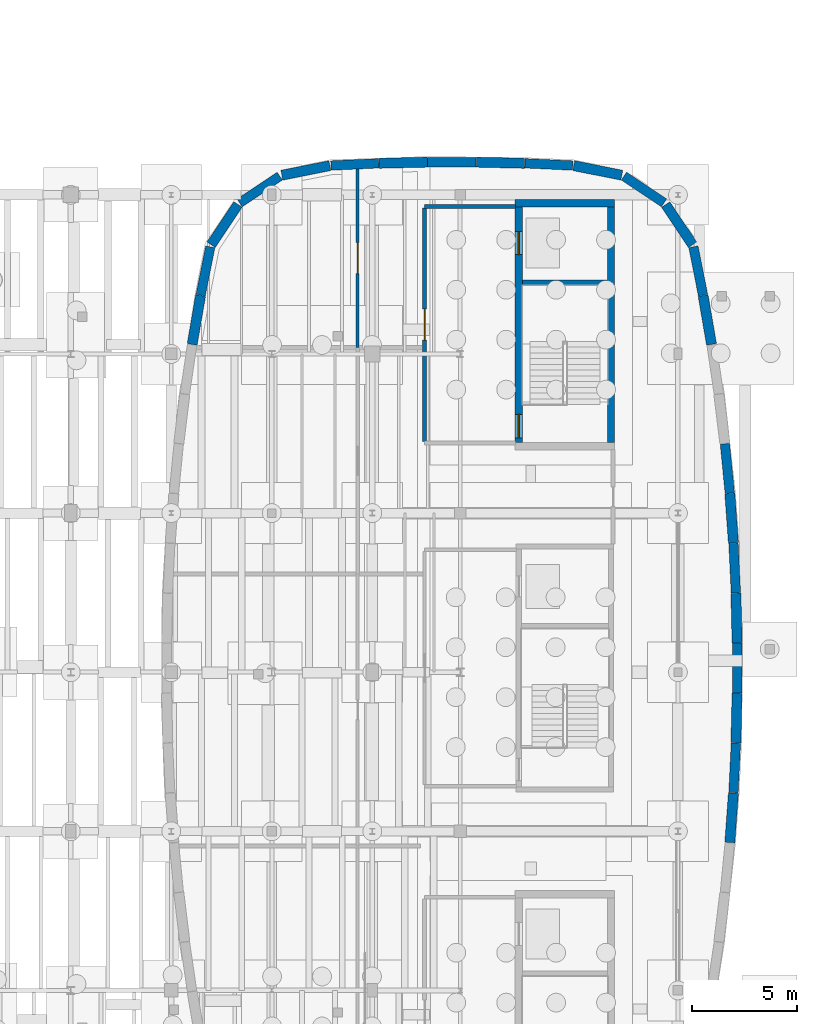
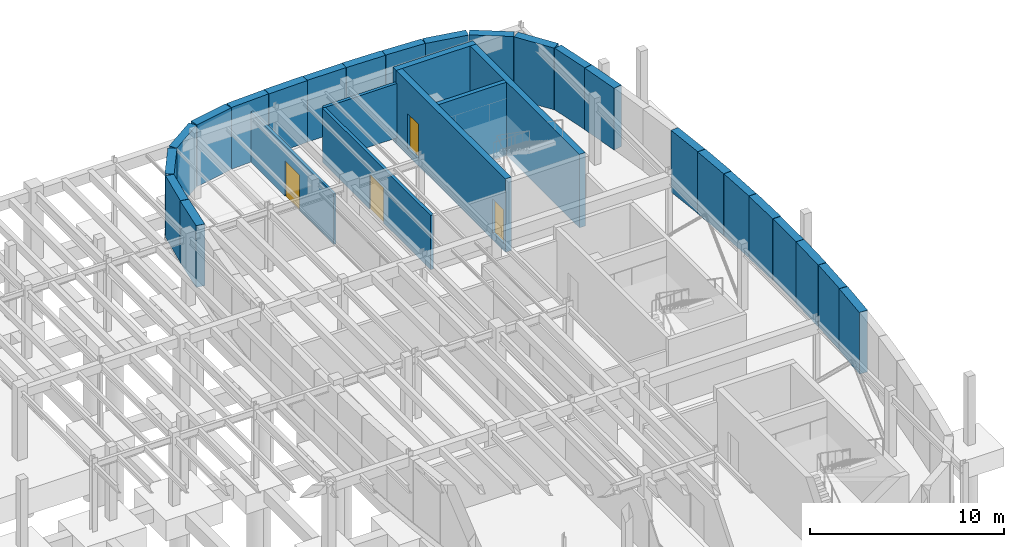
# One storey, part 38 of 45: 30 walls, 4 doors, 4 openings.
"""IFC4 building model written with IfcOpenShell, lengths in metres."""

from ifc_helpers import new_model, si_unit, direction, frame, frame_2d, origin, place, context, subcontext, project, spatial, rectangle, extrude, material, layer, layer_set, type_object, element, fill, save


model = new_model("IFC4")

# Units and contexts
model_context = context("Model", 3, precision=1e-05, world=origin(), true_north=direction((0.0, 1.0)))
body_context = subcontext(model_context, "Body", "Model", "MODEL_VIEW")
ifc_project = project(units=[si_unit("LENGTHUNIT", "METRE"), si_unit("AREAUNIT", "SQUARE_METRE"), si_unit("VOLUMEUNIT", "CUBIC_METRE"), si_unit("PLANEANGLEUNIT", "RADIAN"), si_unit("MASSUNIT", "GRAM", prefix="KILO")], contexts=[model_context])

# Site, building, storey
site_placement = place(None, origin())
site = spatial("IfcSite", under=ifc_project, at=site_placement, CompositionType="ELEMENT")
building_placement = place(site_placement, origin())
building = spatial("IfcBuilding", under=site, at=building_placement, Name="Corveleigh Park Community Centre", CompositionType="ELEMENT")
storey_placement = place(building_placement, frame((0.0, 0.0, -4.199951171875)))
storey = spatial("IfcBuildingStorey", under=building, at=storey_placement, Name="B1", CompositionType="ELEMENT", Elevation=-4.199951171875)

# Wall, opening, door
ifc_material_1 = material(Name="Gypsum acoustic stud partition", Category="gypsum")
ifc_layer_1 = layer(ifc_material_1, 0.14990234375, Name="Gypsum acoustic stud partition", Category="gypsum")
ifc_layer_set_1 = layer_set([ifc_layer_1], Name="Gypsum acoustic stud partition")
wall_type_1 = type_object("IfcWallType", Name="WL-PRT-150", PredefinedType="PARTITIONING", material=ifc_layer_set_1)
wall_1_placement = place(storey_placement, frame((153.10009765625, 105.447021484375, 0.0), z_axis=(0.0, 0.0, 1.0), x_axis=(0.0, -1.0, 0.0)))
wall_1 = element("IfcWall", 1, at=wall_1_placement, inside=storey, type_object=wall_type_1, Name="Facilities Workshop and WC B1 corridor wall", PredefinedType="PARTITIONING", context=body_context, shape_type="SweptSolid", body=[
    extrude(rectangle(XDim=8.547119140625, YDim=0.14990234375, at=frame_2d((4.2734375, 0.0))), origin(), (0.0, 0.0, 1.0), 3.169921875),
])
opening_1_placement = place(wall_1_placement, frame((3.532958984375, 0.0, 0.0)))
opening_1 = element("IfcOpeningElement", 2, at=opening_1_placement, cuts=wall_1, Name="Opening FD01", PredefinedType="OPENING", context=body_context, shape_type="SweptSolid", body=[
    extrude(rectangle(XDim=1.47998046875, YDim=2.219970703125, at=frame_2d((0.739990234375, 1.10986328125))), frame((0.0, 0.0849609375, 0.0), z_axis=(0.0, -1.0, 0.0), x_axis=(1.0, 0.0, 0.0)), (0.0, 0.0, 1.0), 0.169921875),
])
ifc_material_2 = material(Name="Hardwood acoustic door leaf", Category="wood")
door_type_1 = type_object("IfcDoorType", Name="DR-FIR-1480x2220", OperationType="DOUBLE_DOOR_SINGLE_SWING", PredefinedType="DOOR", material=ifc_material_2)
door_1_placement = place(opening_1_placement, origin())
door_1 = element("IfcDoor", 3, at=door_1_placement, inside=storey, type_object=door_type_1, Name="Facilities Workshop and WC B1 door", OperationType="DOUBLE_DOOR_SINGLE_SWING", OverallHeight=2.219970703125, OverallWidth=1.47998046875, PredefinedType="DOOR", context=body_context, shape_type="SweptSolid", body=[
    extrude(rectangle(XDim=1.47998046875, YDim=2.219970703125, at=frame_2d((0.739990234375, 1.10986328125))), frame((0.0, 0.02490234375, 0.0), z_axis=(0.0, -1.0, 0.0), x_axis=(1.0, 0.0, 0.0)), (0.0, 0.0, 1.0), 0.050048828125),
])
fill(opening_1, door_1)

# Wall
ifc_layer_2 = layer(ifc_material_1, 0.179931640625, Name="Gypsum acoustic stud partition", Category="gypsum")
ifc_layer_set_2 = layer_set([ifc_layer_2], Name="Gypsum acoustic stud partition")
wall_type_2 = type_object("IfcWallType", Name="WL-PRT-180", PredefinedType="PARTITIONING", material=ifc_layer_set_2)
wall_2_placement = place(storey_placement, frame((160.639892578125, 103.64990234375, 0.0), z_axis=(0.0, 0.0, 1.0), x_axis=(-1.0, 0.0, 0.0)))
element("IfcWall", 4, at=wall_2_placement, inside=storey, type_object=wall_type_2, Name="CORE2 lobby north wall", PredefinedType="PARTITIONING", context=body_context, shape_type="SweptSolid", body=[
    extrude(rectangle(XDim=4.33984375, YDim=0.179931640625, at=frame_2d((2.169921875, 0.0))), origin(), (0.0, 0.0, 1.0), 3.4169921875),
])

# Wall, opening, door
wall_3_placement = place(storey_placement, frame((156.300048828125, 103.570068359375, 0.0), z_axis=(0.0, 0.0, 1.0), x_axis=(0.0, -1.0, 0.0)))
wall_3 = element("IfcWall", 5, at=wall_3_placement, inside=storey, type_object=wall_type_2, Name="CORE2 lobby corridor wall", PredefinedType="PARTITIONING", context=body_context, shape_type="SweptSolid", body=[
    extrude(rectangle(XDim=11.14013671875, YDim=0.179931640625, at=frame_2d((5.570068359375, 0.0))), origin(), (0.0, 0.0, 1.0), 3.412841796875),
])
opening_2_placement = place(wall_3_placement, frame((4.830078125, 0.0, 0.0)))
opening_2 = element("IfcOpeningElement", 6, at=opening_2_placement, cuts=wall_3, Name="Opening FD01", PredefinedType="OPENING", context=body_context, shape_type="SweptSolid", body=[
    extrude(rectangle(XDim=1.47998046875, YDim=2.219970703125, at=frame_2d((0.739990234375, 1.10986328125))), frame((0.0, 0.099853515625, 0.0), z_axis=(0.0, -1.0, 0.0), x_axis=(1.0, 0.0, 0.0)), (0.0, 0.0, 1.0), 0.199951171875),
])
door_2_placement = place(opening_2_placement, origin())
door_2 = element("IfcDoor", 7, at=door_2_placement, inside=storey, type_object=door_type_1, Name="Lobby CORE2 corridor door B1", OperationType="DOUBLE_DOOR_SINGLE_SWING", OverallHeight=2.219970703125, OverallWidth=1.47998046875, PredefinedType="DOOR", context=body_context, shape_type="SweptSolid", body=[
    extrude(rectangle(XDim=1.47998046875, YDim=2.219970703125, at=frame_2d((0.739990234375, 1.10986328125))), frame((0.0, 0.02490234375, 0.0), z_axis=(0.0, -1.0, 0.0), x_axis=(1.0, 0.0, 0.0)), (0.0, 0.0, 1.0), 0.050048828125),
])
fill(opening_2, door_2)

# Walls
ifc_material_3 = material(Name="Concrete C40/50", Category="concrete")
ifc_layer_3 = layer(ifc_material_3, 0.449951171875, Name="Concrete C40/50", Category="concrete")
ifc_layer_set_3 = layer_set([ifc_layer_3], Name="Concrete C40/50")
wall_type_3 = type_object("IfcWallType", Name="WL-RET-450", PredefinedType="STANDARD", material=ifc_layer_set_3)
wall_4_placement = place(storey_placement, frame((171.16796875, 78.011962890625, 0.0), z_axis=(0.0, 0.0, 1.0), x_axis=(-0.04895577854, -0.99880094701, 0.0)))
element("IfcWall", 8, at=wall_4_placement, inside=storey, type_object=wall_type_3, Name="V4 B1 retaining wall", PredefinedType="STANDARD", context=body_context, shape_type="SweptSolid", body=[
    extrude(rectangle(XDim=2.368896484375, YDim=0.449951171875, at=frame_2d((1.1845703125, 0.0))), origin(), (0.0, 0.0, 1.0), 3.8818359375),
])
wall_5_placement = place(storey_placement, frame((171.22607421875, 82.783935546875, 0.0), z_axis=(0.0, 0.0, 1.0), x_axis=(0.0, -1.0, 0.0)))
element("IfcWall", 9, at=wall_5_placement, inside=storey, type_object=wall_type_3, Name="V4 B1 retaining wall", PredefinedType="STANDARD", context=body_context, shape_type="SweptSolid", body=[
    extrude(rectangle(XDim=2.367919921875, YDim=0.449951171875, at=frame_2d((1.18408203125, 0.0))), origin(), (0.0, 0.0, 1.0), 3.8818359375),
])
wall_6_placement = place(storey_placement, frame((171.052001953125, 87.553955078125, 0.0), z_axis=(0.0, 0.0, 1.0), x_axis=(0.04895577854, -0.99880094701, 0.0)))
element("IfcWall", 10, at=wall_6_placement, inside=storey, type_object=wall_type_3, Name="V4 B1 retaining wall", PredefinedType="STANDARD", context=body_context, shape_type="SweptSolid", body=[
    extrude(rectangle(XDim=2.368896484375, YDim=0.449951171875, at=frame_2d((1.1845703125, 0.0))), origin(), (0.0, 0.0, 1.0), 3.8818359375),
])
wall_7_placement = place(storey_placement, frame((170.64501953125, 92.30908203125, 0.0), z_axis=(0.0, 0.0, 1.0), x_axis=(0.097513367951, -0.995234215183, 0.0)))
element("IfcWall", 11, at=wall_7_placement, inside=storey, type_object=wall_type_3, Name="V4 B1 retaining wall", PredefinedType="STANDARD", context=body_context, shape_type="SweptSolid", body=[
    extrude(rectangle(XDim=2.368408203125, YDim=0.449951171875, at=frame_2d((1.18408203125, 0.0))), origin(), (0.0, 0.0, 1.0), 3.8818359375),
])
wall_8_placement = place(storey_placement, frame((169.138916015625, 101.719970703125, 0.0), z_axis=(0.0, 0.0, 1.0), x_axis=(0.19480081414, -0.980842822684, 0.0)))
element("IfcWall", 12, at=wall_8_placement, inside=storey, type_object=wall_type_3, Name="V4 B1 retaining wall", PredefinedType="STANDARD", context=body_context, shape_type="SweptSolid", body=[
    extrude(rectangle(XDim=2.356201171875, YDim=0.449951171875, at=frame_2d((1.17822265625, 0.0))), origin(), (0.0, 0.0, 1.0), 3.8818359375),
])
wall_9_placement = place(storey_placement, frame((165.818115234375, 105.097900390625, 0.0), z_axis=(0.0, 0.0, 1.0), x_axis=(0.831383182597, -0.55569956244, 0.0)))
element("IfcWall", 13, at=wall_9_placement, inside=storey, type_object=wall_type_3, Name="V4 B1 retaining wall", PredefinedType="STANDARD", context=body_context, shape_type="SweptSolid", body=[
    extrude(rectangle(XDim=2.310546875, YDim=0.449951171875, at=frame_2d((1.1552734375, 0.0))), origin(), (0.0, 0.0, 1.0), 3.8818359375),
])
wall_10_placement = place(storey_placement, frame((161.090087890625, 105.7080078125, 0.0), z_axis=(0.0, 0.0, 1.0), x_axis=(0.998907614067, -0.046728776563, 0.0)))
element("IfcWall", 14, at=wall_10_placement, inside=storey, type_object=wall_type_3, Name="V4 B1 retaining wall", PredefinedType="STANDARD", context=body_context, shape_type="SweptSolid", body=[
    extrude(rectangle(XDim=2.288330078125, YDim=0.449951171875, at=frame_2d((1.14404296875, 0.0))), origin(), (0.0, 0.0, 1.0), 3.8818359375),
])
wall_11_placement = place(storey_placement, frame((156.447998046875, 105.761962890625, 0.0), z_axis=(0.0, 0.0, 1.0), x_axis=(1.0, 0.0, 0.0)))
element("IfcWall", 15, at=wall_11_placement, inside=storey, type_object=wall_type_3, Name="V4 B1 retaining wall", PredefinedType="STANDARD", context=body_context, shape_type="SweptSolid", body=[
    extrude(rectangle(XDim=2.303955078125, YDim=0.449951171875, at=frame_2d((1.15185546875, 0.0))), origin(), (0.0, 0.0, 1.0), 3.8818359375),
])
wall_12_placement = place(storey_placement, frame((151.823974609375, 105.60107421875, 0.0), z_axis=(0.0, 0.0, 1.0), x_axis=(0.998907846989, 0.0467237972, 0.0)))
element("IfcWall", 16, at=wall_12_placement, inside=storey, type_object=wall_type_3, Name="V4 B1 retaining wall", PredefinedType="STANDARD", context=body_context, shape_type="SweptSolid", body=[
    extrude(rectangle(XDim=2.28857421875, YDim=0.449951171875, at=frame_2d((1.144287109375, 0.0))), origin(), (0.0, 0.0, 1.0), 3.8818359375),
])
wall_13_placement = place(storey_placement, frame((147.4609375, 103.81396484375, 0.0), z_axis=(0.0, 0.0, 1.0), x_axis=(0.831415808291, 0.555650747973, 0.0)))
element("IfcWall", 17, at=wall_13_placement, inside=storey, type_object=wall_type_3, Name="V4 B1 retaining wall", PredefinedType="STANDARD", context=body_context, shape_type="SweptSolid", body=[
    extrude(rectangle(XDim=2.310791015625, YDim=0.449951171875, at=frame_2d((1.1552734375, 0.0))), origin(), (0.0, 0.0, 1.0), 3.8818359375),
])
wall_14_placement = place(storey_placement, frame((145.60205078125, 99.408935546875, 0.0), z_axis=(0.0, 0.0, 1.0), x_axis=(0.19480081414, 0.980842822684, 0.0)))
element("IfcWall", 18, at=wall_14_placement, inside=storey, type_object=wall_type_3, Name="V4 B1 retaining wall", PredefinedType="STANDARD", context=body_context, shape_type="SweptSolid", body=[
    extrude(rectangle(XDim=2.356201171875, YDim=0.449951171875, at=frame_2d((1.17822265625, 0.0))), origin(), (0.0, 0.0, 1.0), 3.8818359375),
])
ifc_layer_4 = layer(ifc_material_3, 0.47998046875, Name="Concrete C40/50", Category="concrete")
ifc_layer_set_4 = layer_set([ifc_layer_4], Name="Concrete C40/50")
wall_type_4 = type_object("IfcWallType", Name="WL-RET-480", PredefinedType="STANDARD", material=ifc_layer_set_4)
wall_15_placement = place(storey_placement, frame((171.051025390625, 75.6279296875, 0.0), z_axis=(0.0, 0.0, 1.0), x_axis=(-0.07309318863, -0.997325115384, 0.0)))
element("IfcWall", 19, at=wall_15_placement, inside=storey, type_object=wall_type_4, Name="V4 B1 retaining wall", PredefinedType="STANDARD", context=body_context, shape_type="SweptSolid", body=[
    extrude(rectangle(XDim=2.3681640625, YDim=0.47998046875, at=frame_2d((1.18408203125, 0.0))), origin(), (0.0, 0.0, 1.0), 3.8818359375),
])
for number, where, z_axis, x_axis, name in (
    (20, (171.22607421875, 80.39794921875, 0.0), (0.0, 0.0, 1.0), (-0.02453122768, -0.999699064153, 0.0), "V4 B1 retaining wall"),
    (21, (171.16796875, 85.169921875, 0.0), (0.0, 0.0, 1.0), (0.02453122768, -0.999699064153, 0.0), "V4 B1 retaining wall"),
):
    element("IfcWall", number, at=place(storey_placement, frame(where, z_axis=z_axis, x_axis=x_axis)), inside=storey, type_object=wall_type_4, Name=name, PredefinedType="STANDARD", context=body_context, shape_type="SweptSolid", body=[
        extrude(rectangle(XDim=2.36865234375, YDim=0.47998046875, at=frame_2d((1.184326171875, 0.0))), origin(), (0.0, 0.0, 1.0), 3.8818359375),
    ])
wall_16_placement = place(storey_placement, frame((170.8779296875, 89.93408203125, 0.0), z_axis=(0.0, 0.0, 1.0), x_axis=(0.073085674135, -0.997325666087, 0.0)))
element("IfcWall", 22, at=wall_16_placement, inside=storey, type_object=wall_type_4, Name="V4 B1 retaining wall", PredefinedType="STANDARD", context=body_context, shape_type="SweptSolid", body=[
    extrude(rectangle(XDim=2.368408203125, YDim=0.47998046875, at=frame_2d((1.18408203125, 0.0))), origin(), (0.0, 0.0, 1.0), 3.8818359375),
])
wall_17_placement = place(storey_placement, frame((169.60205078125, 99.39111328125, 0.0), z_axis=(0.0, 0.0, 1.0), x_axis=(0.169661839761, -0.985502338977, 0.0)))
element("IfcWall", 23, at=wall_17_placement, inside=storey, type_object=wall_type_4, Name="V4 B1 retaining wall", PredefinedType="STANDARD", context=body_context, shape_type="SweptSolid", body=[
    extrude(rectangle(XDim=2.36865234375, YDim=0.47998046875, at=frame_2d((1.184326171875, 0.0))), origin(), (0.0, 0.0, 1.0), 3.8818359375),
])
wall_18_placement = place(storey_placement, frame((167.81396484375, 103.739013671875, 0.0), z_axis=(0.0, 0.0, 1.0), x_axis=(0.55569956244, -0.831383182597, 0.0)))
element("IfcWall", 24, at=wall_18_placement, inside=storey, type_object=wall_type_4, Name="V4 B1 retaining wall", PredefinedType="STANDARD", context=body_context, shape_type="SweptSolid", body=[
    extrude(rectangle(XDim=2.310546875, YDim=0.47998046875, at=frame_2d((1.1552734375, 0.0))), origin(), (0.0, 0.0, 1.0), 3.8818359375),
])
wall_19_placement = place(storey_placement, frame((163.424072265625, 105.594970703125, 0.0), z_axis=(0.0, 0.0, 1.0), x_axis=(0.980836573739, -0.1948322756, 0.0)))
element("IfcWall", 25, at=wall_19_placement, inside=storey, type_object=wall_type_4, Name="V4 B1 retaining wall", PredefinedType="STANDARD", context=body_context, shape_type="SweptSolid", body=[
    extrude(rectangle(XDim=2.3408203125, YDim=0.47998046875, at=frame_2d((1.17041015625, 0.0))), origin(), (0.0, 0.0, 1.0), 3.8818359375),
])
for number, where, z_axis, x_axis, name in (
    (26, (158.77001953125, 105.761962890625, 0.0), (0.0, 0.0, 1.0), (0.999725435497, -0.023431893228, 0.0), "V4 B1 retaining wall"),
    (27, (154.1279296875, 105.7080078125, 0.0), (0.0, 0.0, 1.0), (0.999725435497, 0.023431893228, 0.0), "V4 B1 retaining wall"),
):
    element("IfcWall", number, at=place(storey_placement, frame(where, z_axis=z_axis, x_axis=x_axis)), inside=storey, type_object=wall_type_4, Name=name, PredefinedType="STANDARD", context=body_context, shape_type="SweptSolid", body=[
        extrude(rectangle(XDim=2.302734375, YDim=0.47998046875, at=frame_2d((1.1513671875, 0.0))), origin(), (0.0, 0.0, 1.0), 3.8818359375),
    ])
wall_20_placement = place(storey_placement, frame((149.47998046875, 105.138916015625, 0.0), z_axis=(0.0, 0.0, 1.0), x_axis=(0.980836573739, 0.1948322756, 0.0)))
element("IfcWall", 28, at=wall_20_placement, inside=storey, type_object=wall_type_4, Name="V4 B1 retaining wall", PredefinedType="STANDARD", context=body_context, shape_type="SweptSolid", body=[
    extrude(rectangle(XDim=2.3408203125, YDim=0.47998046875, at=frame_2d((1.17041015625, 0.0))), origin(), (0.0, 0.0, 1.0), 3.8818359375),
])
wall_21_placement = place(storey_placement, frame((146.10205078125, 101.818115234375, 0.0), z_axis=(0.0, 0.0, 1.0), x_axis=(0.55569956244, 0.831383182597, 0.0)))
element("IfcWall", 29, at=wall_21_placement, inside=storey, type_object=wall_type_4, Name="V4 B1 retaining wall", PredefinedType="STANDARD", context=body_context, shape_type="SweptSolid", body=[
    extrude(rectangle(XDim=2.310546875, YDim=0.47998046875, at=frame_2d((1.1552734375, 0.0))), origin(), (0.0, 0.0, 1.0), 3.8818359375),
])
wall_22_placement = place(storey_placement, frame((145.196044921875, 97.056884765625, 0.0), z_axis=(0.0, 0.0, 1.0), x_axis=(0.169661839761, 0.985502338977, 0.0)))
element("IfcWall", 30, at=wall_22_placement, inside=storey, type_object=wall_type_4, Name="V4 B1 retaining wall", PredefinedType="STANDARD", context=body_context, shape_type="SweptSolid", body=[
    extrude(rectangle(XDim=2.36865234375, YDim=0.47998046875, at=frame_2d((1.184326171875, 0.0))), origin(), (0.0, 0.0, 1.0), 3.8818359375),
])
ifc_layer_5 = layer(ifc_material_3, 0.25, Name="Concrete C40/50", Category="concrete")
ifc_layer_set_5 = layer_set([ifc_layer_5], Name="Concrete C40/50")
wall_type_5 = type_object("IfcWallType", Name="WL-SHR-250", PredefinedType="SHEAR", material=ifc_layer_set_5)
wall_23_placement = place(storey_placement, frame((160.97509765625, 100.0, -0.4150390625), z_axis=(0.0, 0.0, 1.0), x_axis=(1.0, 0.0, 0.0)))
element("IfcWall", 31, at=wall_23_placement, inside=storey, type_object=wall_type_5, Name="CORE2 shaft wall", PredefinedType="SHEAR", context=body_context, shape_type="SweptSolid", body=[
    extrude(rectangle(XDim=4.0498046875, YDim=0.25, at=frame_2d((2.02490234375, 0.0))), origin(), (0.0, 0.0, 1.0), 4.614990234375),
])
ifc_layer_6 = layer(ifc_material_3, 0.35009765625, Name="Concrete C40/50", Category="concrete")
ifc_layer_set_6 = layer_set([ifc_layer_6], Name="Concrete C40/50")
wall_type_6 = type_object("IfcWallType", Name="WL-SHR-350", PredefinedType="SHEAR", material=ifc_layer_set_6)
wall_24_placement = place(storey_placement, frame((165.199951171875, 92.375, -0.4150390625), z_axis=(0.0, 0.0, 1.0), x_axis=(0.0, 1.0, 0.0)))
element("IfcWall", 32, at=wall_24_placement, inside=storey, type_object=wall_type_6, Name="CORE2 east shear wall", PredefinedType="SHEAR", context=body_context, shape_type="SweptSolid", body=[
    extrude(rectangle(XDim=11.25, YDim=0.35009765625, at=frame_2d((5.625, 0.0))), origin(), (0.0, 0.0, 1.0), 4.614990234375),
])
wall_25_placement = place(storey_placement, frame((165.375, 103.800048828125, -0.4150390625), z_axis=(0.0, 0.0, 1.0), x_axis=(-1.0, 0.0, 0.0)))
element("IfcWall", 33, at=wall_25_placement, inside=storey, type_object=wall_type_6, Name="CORE2 north shear wall", PredefinedType="SHEAR", context=body_context, shape_type="SweptSolid", body=[
    extrude(rectangle(XDim=4.75, YDim=0.35009765625, at=frame_2d((2.375, 0.0))), origin(), (0.0, 0.0, 1.0), 4.614990234375),
])

# Wall, openings, doors
wall_26_placement = place(storey_placement, frame((160.800048828125, 103.625, -0.4150390625), z_axis=(0.0, 0.0, 1.0), x_axis=(0.0, -1.0, 0.0)))
wall_26 = element("IfcWall", 34, at=wall_26_placement, inside=storey, type_object=wall_type_6, Name="CORE2 west lobby wall", PredefinedType="SHEAR", context=body_context, shape_type="SweptSolid", body=[
    extrude(rectangle(XDim=11.25, YDim=0.35009765625, at=frame_2d((5.625, 0.0))), origin(), (0.0, 0.0, 1.0), 4.614990234375),
])
opening_3_placement = place(wall_26_placement, frame((1.175048828125, 0.0, 0.4150390625)))
opening_3 = element("IfcOpeningElement", 35, at=opening_3_placement, cuts=wall_26, Name="Opening LD01", PredefinedType="OPENING", context=body_context, shape_type="SweptSolid", body=[
    extrude(rectangle(XDim=1.10009765625, YDim=2.199951171875, at=frame_2d((0.550048828125, 1.10009765625))), frame((0.0, 0.18505859375, 0.0), z_axis=(0.0, -1.0, 0.0), x_axis=(1.0, 0.0, 0.0)), (0.0, 0.0, 1.0), 0.3701171875),
])
opening_4_placement = place(wall_26_placement, frame((9.9150390625, 0.0, 0.4150390625)))
opening_4 = element("IfcOpeningElement", 36, at=opening_4_placement, cuts=wall_26, Name="Opening FD03", PredefinedType="OPENING", context=body_context, shape_type="SweptSolid", body=[
    extrude(rectangle(XDim=1.1201171875, YDim=2.159912109375, at=frame_2d((0.56005859375, 1.080078125))), frame((0.0, 0.18505859375, 0.0), z_axis=(0.0, -1.0, 0.0), x_axis=(1.0, 0.0, 0.0)), (0.0, 0.0, 1.0), 0.3701171875),
])
door_type_2 = type_object("IfcDoorType", Name="DR-FIR-1120x2160", OperationType="NOTDEFINED", PredefinedType="DOOR", material=ifc_material_2)
door_3_placement = place(opening_4_placement, origin())
door_3 = element("IfcDoor", 37, at=door_3_placement, inside=storey, type_object=door_type_2, Name="Stair ST2 fire door B1", OperationType="SINGLE_SWING_LEFT", OverallHeight=2.159912109375, OverallWidth=1.1201171875, PredefinedType="DOOR", context=body_context, shape_type="SweptSolid", body=[
    extrude(rectangle(XDim=1.1201171875, YDim=2.159912109375, at=frame_2d((0.56005859375, 1.080078125))), frame((0.0, 0.02490234375, 0.0), z_axis=(0.0, -1.0, 0.0), x_axis=(1.0, 0.0, 0.0)), (0.0, 0.0, 1.0), 0.050048828125),
])
fill(opening_4, door_3)
ifc_material_4 = material(Name="Brushed stainless steel lift car", Category="steel")
door_type_3 = type_object("IfcDoorType", Name="DR-LFT-1100x2200", OperationType="DOUBLE_DOOR_SLIDING", PredefinedType="DOOR", material=ifc_material_4)
door_4_placement = place(opening_3_placement, origin())
door_4 = element("IfcDoor", 38, at=door_4_placement, inside=storey, type_object=door_type_3, Name="Lift FL2 landing door B1", OperationType="DOUBLE_DOOR_SLIDING", OverallHeight=2.199951171875, OverallWidth=1.10009765625, PredefinedType="DOOR", context=body_context, shape_type="SweptSolid", body=[
    extrude(rectangle(XDim=1.10009765625, YDim=2.199951171875, at=frame_2d((0.550048828125, 1.10009765625))), frame((0.0, 0.02490234375, 0.0), z_axis=(0.0, -1.0, 0.0), x_axis=(1.0, 0.0, 0.0)), (0.0, 0.0, 1.0), 0.050048828125),
])
fill(opening_3, door_4)

save(model, "model.ifc")
